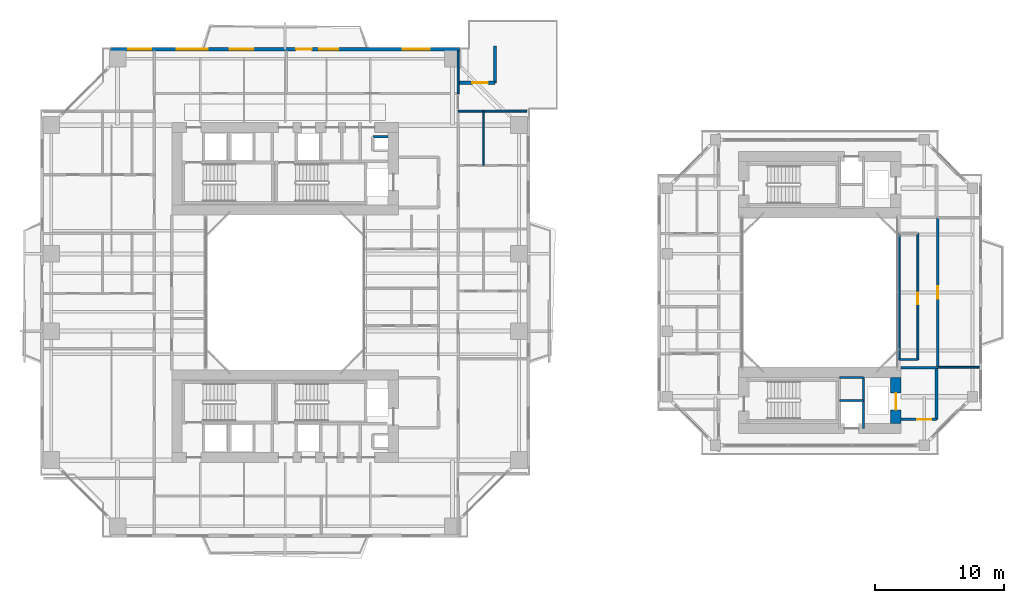
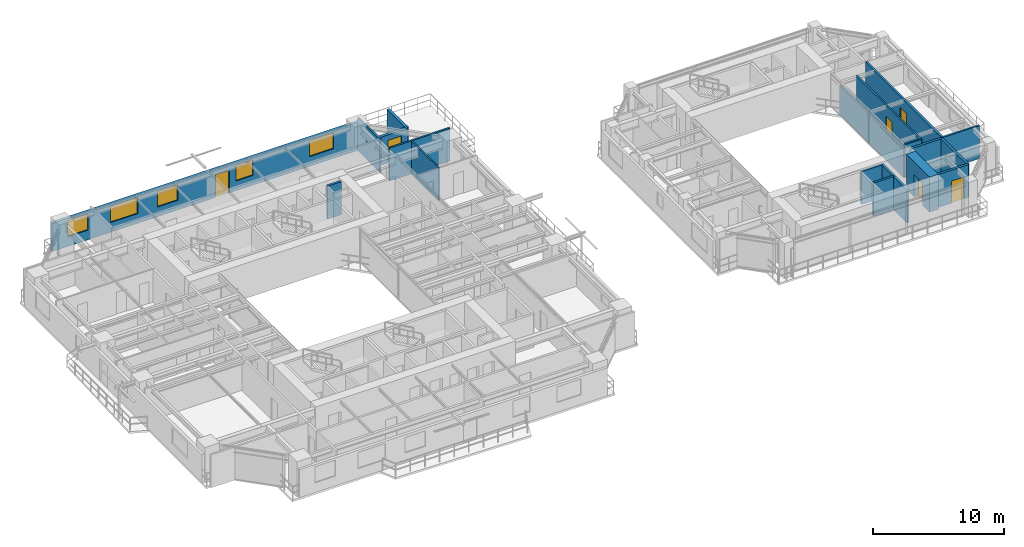
# One storey, part 17 of 23: 19 walls, 6 doors, 5 windows, 11 openings.
"""IFC4 building model written with IfcOpenShell, lengths in metres."""

from ifc_helpers import new_model, si_unit, direction, frame, frame_2d, origin, place, context, subcontext, project, spatial, rectangle, extrude, source, transform, mapped, material, layer, layer_set, type_object, element, fill, save


model = new_model("IFC4")

# Units and contexts
model_context = context("Model", 3, precision=1e-05, world=origin(), true_north=direction((0.0, 1.0)))
body_context = subcontext(model_context, "Body", "Model", "MODEL_VIEW")
ifc_project = project(units=[si_unit("LENGTHUNIT", "METRE"), si_unit("AREAUNIT", "SQUARE_METRE"), si_unit("VOLUMEUNIT", "CUBIC_METRE"), si_unit("PLANEANGLEUNIT", "RADIAN"), si_unit("MASSUNIT", "GRAM", prefix="KILO"), si_unit("THERMODYNAMICTEMPERATUREUNIT", "KELVIN"), si_unit("POWERUNIT", "WATT")], contexts=[model_context])

# Site, building, storey
site_placement = place(None, origin())
site = spatial("IfcSite", under=ifc_project, at=site_placement, CompositionType="ELEMENT")
building_placement = place(site_placement, origin())
building = spatial("IfcBuilding", under=site, at=building_placement, Name="Qiaomeng Ring Towers", CompositionType="ELEMENT")
storey_placement = place(building_placement, frame((0.0, 0.0, 82.75)))
storey = spatial("IfcBuildingStorey", under=building, at=storey_placement, Name="L23", CompositionType="ELEMENT", Elevation=82.75)

# Wall, openings, windows, door
ifc_material_1 = material(Name="Precast concrete C40", Category="concrete")
ifc_layer_1 = layer(ifc_material_1, 0.25, Name="Precast concrete C40")
ifc_layer_set_1 = layer_set([ifc_layer_1], Name="Precast concrete C40")
wall_type_1 = type_object("IfcWallType", Name="ARC-WL-EW1", PredefinedType="STANDARD", material=ifc_layer_set_1)
wall_1_placement = place(storey_placement, frame((5.449951171875, 41.875, 0.0), z_axis=(0.0, 0.0, 1.0), x_axis=(1.0, 0.0, 0.0)))
wall_1 = element("IfcWall", 1, at=wall_1_placement, inside=storey, type_object=wall_type_1, Name="L23 Tower 1 N Exterior Wall", PredefinedType="STANDARD", context=body_context, shape_type="SweptSolid", body=[
    extrude(rectangle(XDim=27.10009765625, YDim=0.25, at=frame_2d((13.550048828125, 0.0))), origin(), (0.0, 0.0, 1.0), 2.610107421875),
])
opening_1_placement = place(wall_1_placement, frame((14.39990234375, 0.0, 0.0)))
opening_1 = element("IfcOpeningElement", 2, at=opening_1_placement, cuts=wall_1, Name="Opening BD1", PredefinedType="OPENING", context=body_context, shape_type="SweptSolid", body=[
    extrude(rectangle(XDim=1.199951171875, YDim=2.10009765625, at=frame_2d((0.60009765625, 1.050048828125))), frame((0.0, 0.135009765625, 0.0), z_axis=(0.0, -1.0, 0.0), x_axis=(1.0, 0.0, 0.0)), (0.0, 0.0, 1.0), 0.27001953125),
])
opening_2_placement = place(wall_1_placement, frame((1.364990234375, 0.0, 0.89990234375)))
opening_2 = element("IfcOpeningElement", 3, at=opening_2_placement, cuts=wall_1, Name="Opening WN1", PredefinedType="OPENING", context=body_context, shape_type="SweptSolid", body=[
    extrude(rectangle(XDim=1.800048828125, YDim=1.5, at=frame_2d((0.89990234375, 0.75))), frame((0.0, 0.135009765625, 0.0), z_axis=(0.0, -1.0, 0.0), x_axis=(1.0, 0.0, 0.0)), (0.0, 0.0, 1.0), 0.27001953125),
])
opening_3_placement = place(wall_1_placement, frame((9.262939453125, 0.0, 0.89990234375)))
opening_3 = element("IfcOpeningElement", 4, at=opening_3_placement, cuts=wall_1, Name="Opening WN1", PredefinedType="OPENING", context=body_context, shape_type="SweptSolid", body=[
    extrude(rectangle(XDim=1.800048828125, YDim=1.449951171875, at=frame_2d((0.89990234375, 0.72509765625))), frame((0.0, 0.135009765625, 0.0), z_axis=(0.0, -1.0, 0.0), x_axis=(1.0, 0.0, 0.0)), (0.0, 0.0, 1.0), 0.27001953125),
])
opening_4_placement = place(wall_1_placement, frame((16.18798828125, 0.0, 0.89990234375)))
opening_4 = element("IfcOpeningElement", 5, at=opening_4_placement, cuts=wall_1, Name="Opening WN2", PredefinedType="OPENING", context=body_context, shape_type="SweptSolid", body=[
    extrude(rectangle(XDim=1.5, YDim=1.449951171875, at=frame_2d((0.75, 0.72509765625))), frame((0.0, 0.135009765625, 0.0), z_axis=(0.0, -1.0, 0.0), x_axis=(1.0, 0.0, 0.0)), (0.0, 0.0, 1.0), 0.27001953125),
])
opening_5_placement = place(wall_1_placement, frame((22.6630859375, 0.0, 0.89990234375)))
opening_5 = element("IfcOpeningElement", 6, at=opening_5_placement, cuts=wall_1, Name="Opening WN4", PredefinedType="OPENING", context=body_context, shape_type="SweptSolid", body=[
    extrude(rectangle(XDim=2.10009765625, YDim=1.47998046875, at=frame_2d((1.050048828125, 0.739990234375))), frame((0.0, 0.135009765625, 0.0), z_axis=(0.0, -1.0, 0.0), x_axis=(1.0, 0.0, 0.0)), (0.0, 0.0, 1.0), 0.27001953125),
])
opening_6_placement = place(wall_1_placement, frame((5.14892578125, 0.0, 0.89990234375)))
opening_6 = element("IfcOpeningElement", 7, at=opening_6_placement, cuts=wall_1, Name="Opening WN6", PredefinedType="OPENING", context=body_context, shape_type="SweptSolid", body=[
    extrude(rectangle(XDim=2.39990234375, YDim=1.5, at=frame_2d((1.199951171875, 0.75))), frame((0.0, 0.135009765625, 0.0), z_axis=(0.0, -1.0, 0.0), x_axis=(1.0, 0.0, 0.0)), (0.0, 0.0, 1.0), 0.27001953125),
])
ifc_material_2 = material(Name="Low-E dark-grey laminated double glazing", Category="glass")
window_type_1 = type_object("IfcWindowType", Name="ARC-WN-2", PartitioningType="DOUBLE_PANEL_VERTICAL", PredefinedType="WINDOW", material=ifc_material_2)
shared_shape_1 = source(origin(), body_context, "Body", "SweptSolid", [
    extrude(rectangle(XDim=1.5, YDim=1.449951171875, at=frame_2d((0.75, 0.72509765625))), frame((0.0, 0.030029296875, 0.0), z_axis=(0.0, -1.0, 0.0), x_axis=(1.0, 0.0, 0.0)), (0.0, 0.0, 1.0), 0.06005859375),
])
window_1_placement = place(opening_4_placement, origin())
window_1 = element("IfcWindow", 8, at=window_1_placement, inside=storey, type_object=window_type_1, Name="L23 Exterior Window WN2", OverallHeight=1.449951171875, OverallWidth=1.5, PartitioningType="DOUBLE_PANEL_VERTICAL", PredefinedType="WINDOW", context=body_context, shape_type="MappedRepresentation", body=[
    mapped(shared_shape_1, transform((0.0, 0.0, 0.0), x_axis=(1.0, 0.0, 0.0), y_axis=(0.0, 1.0, 0.0), z_axis=(0.0, 0.0, 1.0), scale=1.0)),
])
fill(opening_4, window_1)
window_type_2 = type_object("IfcWindowType", Name="ARC-WN-4", PartitioningType="TRIPLE_PANEL_VERTICAL", PredefinedType="WINDOW", material=ifc_material_2)
shared_shape_2 = source(origin(), body_context, "Body", "SweptSolid", [
    extrude(rectangle(XDim=2.10009765625, YDim=1.47998046875, at=frame_2d((1.050048828125, 0.739990234375))), frame((0.0, 0.030029296875, 0.0), z_axis=(0.0, -1.0, 0.0), x_axis=(1.0, 0.0, 0.0)), (0.0, 0.0, 1.0), 0.06005859375),
])
window_2_placement = place(opening_5_placement, origin())
window_2 = element("IfcWindow", 9, at=window_2_placement, inside=storey, type_object=window_type_2, Name="L23 Exterior Window WN4", OverallHeight=1.47998046875, OverallWidth=2.10009765625, PartitioningType="TRIPLE_PANEL_VERTICAL", PredefinedType="WINDOW", context=body_context, shape_type="MappedRepresentation", body=[
    mapped(shared_shape_2, transform((0.0, 0.0, 0.0), x_axis=(1.0, 0.0, 0.0), y_axis=(0.0, 1.0, 0.0), z_axis=(0.0, 0.0, 1.0), scale=1.0)),
])
fill(opening_5, window_2)
window_type_3 = type_object("IfcWindowType", Name="ARC-WN-1", PartitioningType="DOUBLE_PANEL_VERTICAL", PredefinedType="WINDOW", material=ifc_material_2)
shared_shape_3 = source(origin(), body_context, "Body", "SweptSolid", [
    extrude(rectangle(XDim=1.800048828125, YDim=1.449951171875, at=frame_2d((0.89990234375, 0.72509765625))), frame((0.0, 0.030029296875, 0.0), z_axis=(0.0, -1.0, 0.0), x_axis=(1.0, 0.0, 0.0)), (0.0, 0.0, 1.0), 0.06005859375),
])
window_3_placement = place(opening_3_placement, origin())
window_3 = element("IfcWindow", 10, at=window_3_placement, inside=storey, type_object=window_type_3, Name="L23 Exterior Window WN1", OverallHeight=1.449951171875, OverallWidth=1.800048828125, PartitioningType="DOUBLE_PANEL_VERTICAL", PredefinedType="WINDOW", context=body_context, shape_type="MappedRepresentation", body=[
    mapped(shared_shape_3, transform((0.0, 0.0, 0.0), x_axis=(1.0, 0.0, 0.0), y_axis=(0.0, 1.0, 0.0), z_axis=(0.0, 0.0, 1.0), scale=1.0)),
])
fill(opening_3, window_3)
door_type_1 = type_object("IfcDoorType", Name="ARC-DR-BD1", OperationType="NOTDEFINED", PredefinedType="DOOR", material=ifc_material_2)
shared_shape_4 = source(origin(), body_context, "Body", "SweptSolid", [
    extrude(rectangle(XDim=1.199951171875, YDim=2.10009765625, at=frame_2d((0.60009765625, 1.050048828125))), frame((0.0, 0.02490234375, 0.0), z_axis=(0.0, -1.0, 0.0), x_axis=(1.0, 0.0, 0.0)), (0.0, 0.0, 1.0), 0.050048828125),
])
door_1_placement = place(opening_1_placement, origin())
door_1 = element("IfcDoor", 11, at=door_1_placement, inside=storey, type_object=door_type_1, Name="L23 N Balcony Glazed Door", OperationType="SINGLE_SWING_LEFT", OverallHeight=2.10009765625, OverallWidth=1.199951171875, PredefinedType="DOOR", context=body_context, shape_type="MappedRepresentation", body=[
    mapped(shared_shape_4, transform((0.0, 0.0, 0.0), x_axis=(1.0, 0.0, 0.0), y_axis=(0.0, 1.0, 0.0), z_axis=(0.0, 0.0, 1.0), scale=1.0)),
])
fill(opening_1, door_1)
window_type_4 = type_object("IfcWindowType", Name="ARC-WN-6", PartitioningType="TRIPLE_PANEL_VERTICAL", PredefinedType="WINDOW", material=ifc_material_2)
shared_shape_5 = source(origin(), body_context, "Body", "SweptSolid", [
    extrude(rectangle(XDim=2.39990234375, YDim=1.5, at=frame_2d((1.199951171875, 0.75))), frame((0.0, 0.030029296875, 0.0), z_axis=(0.0, -1.0, 0.0), x_axis=(1.0, 0.0, 0.0)), (0.0, 0.0, 1.0), 0.06005859375),
])
window_4_placement = place(opening_6_placement, origin())
window_4 = element("IfcWindow", 12, at=window_4_placement, inside=storey, type_object=window_type_4, Name="L23 Exterior Window WN6", OverallHeight=1.5, OverallWidth=2.39990234375, PartitioningType="TRIPLE_PANEL_VERTICAL", PredefinedType="WINDOW", context=body_context, shape_type="MappedRepresentation", body=[
    mapped(shared_shape_5, transform((0.0, 0.0, 0.0), x_axis=(1.0, 0.0, 0.0), y_axis=(0.0, 1.0, 0.0), z_axis=(0.0, 0.0, 1.0), scale=1.0)),
])
fill(opening_6, window_4)
shared_shape_6 = source(origin(), body_context, "Body", "SweptSolid", [
    extrude(rectangle(XDim=1.800048828125, YDim=1.5, at=frame_2d((0.89990234375, 0.75))), frame((0.0, 0.030029296875, 0.0), z_axis=(0.0, -1.0, 0.0), x_axis=(1.0, 0.0, 0.0)), (0.0, 0.0, 1.0), 0.06005859375),
])
window_5_placement = place(opening_2_placement, origin())
window_5 = element("IfcWindow", 13, at=window_5_placement, inside=storey, type_object=window_type_3, Name="L23 Exterior Window WN6", OverallHeight=1.5, OverallWidth=1.800048828125, PartitioningType="TRIPLE_PANEL_VERTICAL", PredefinedType="WINDOW", context=body_context, shape_type="MappedRepresentation", body=[
    mapped(shared_shape_6, transform((0.0, 0.0, 0.0), x_axis=(1.0, 0.0, 0.0), y_axis=(0.0, 1.0, 0.0), z_axis=(0.0, 0.0, 1.0), scale=1.0)),
])
fill(opening_2, window_5)

# Wall, opening, door
wall_2_placement = place(storey_placement, frame((32.47509765625, 39.27490234375, 0.0), z_axis=(0.0, 0.0, 1.0), x_axis=(1.0, 0.0, 0.0)))
wall_2 = element("IfcWall", 14, at=wall_2_placement, inside=storey, type_object=wall_type_1, Name="L23 Spiral Terrace Wall NE", PredefinedType="STANDARD", context=body_context, shape_type="SweptSolid", body=[
    extrude(rectangle(XDim=2.7998046875, YDim=0.25, at=frame_2d((1.39990234375, 0.0))), origin(), (0.0, 0.0, 1.0), 2.610107421875),
])
opening_7_placement = place(wall_2_placement, frame((1.050048828125, 0.0, 0.0)))
opening_7 = element("IfcOpeningElement", 15, at=opening_7_placement, cuts=wall_2, Name="Opening BD1", PredefinedType="OPENING", context=body_context, shape_type="SweptSolid", body=[
    extrude(rectangle(XDim=1.199951171875, YDim=2.10009765625, at=frame_2d((0.60009765625, 1.050048828125))), frame((0.0, 0.135009765625, 0.0), z_axis=(0.0, -1.0, 0.0), x_axis=(1.0, 0.0, 0.0)), (0.0, 0.0, 1.0), 0.27001953125),
])
door_2_placement = place(opening_7_placement, frame((1.199951171875, 0.0, 0.0), z_axis=(0.0, 0.0, 1.0), x_axis=(-1.0, 0.0, 0.0)))
door_2 = element("IfcDoor", 16, at=door_2_placement, inside=storey, type_object=door_type_1, Name="L23 Spiral Sky Terrace Door NE", OperationType="SINGLE_SWING_LEFT", OverallHeight=2.10009765625, OverallWidth=1.199951171875, PredefinedType="DOOR", context=body_context, shape_type="MappedRepresentation", body=[
    mapped(shared_shape_4, transform((0.0, 0.0, 0.0), x_axis=(1.0, 0.0, 0.0), y_axis=(0.0, 1.0, 0.0), z_axis=(0.0, 0.0, 1.0), scale=1.0)),
])
fill(opening_7, door_2)

# Walls
wall_3_placement = place(storey_placement, frame((35.27490234375, 39.27490234375, 0.0), z_axis=(0.0, 0.0, 1.0), x_axis=(0.0, 1.0, 0.0)))
element("IfcWall", 17, at=wall_3_placement, inside=storey, type_object=wall_type_1, Name="L23 Spiral Terrace Return Wall NE", PredefinedType="STANDARD", context=body_context, shape_type="SweptSolid", body=[
    extrude(rectangle(XDim=2.875, YDim=0.25, at=frame_2d((1.4375, 0.0))), origin(), (0.0, 0.0, 1.0), 2.610107421875),
])
ifc_material_3 = material(Name="Autoclaved aerated concrete block", Category="concrete")
ifc_layer_2 = layer(ifc_material_3, 0.199951171875, Name="Autoclaved aerated concrete block")
ifc_layer_set_2 = layer_set([ifc_layer_2], Name="Autoclaved aerated concrete block")
wall_type_2 = type_object("IfcWallType", Name="ARC-WL-PW1", PredefinedType="PARTITIONING", material=ifc_layer_set_2)
wall_4_placement = place(storey_placement, frame((66.800048828125, 17.14990234375, 0.0), z_axis=(0.0, 0.0, 1.0), x_axis=(1.0, 0.0, 0.0)))
element("IfcWall", 18, at=wall_4_placement, inside=storey, type_object=wall_type_2, Name="L23 Interior Wall PW1", PredefinedType="PARTITIONING", context=body_context, shape_type="SweptSolid", body=[
    extrude(rectangle(XDim=2.75, YDim=0.199951171875, at=frame_2d((1.375, 0.0))), origin(), (0.0, 0.0, 1.0), 3.070068359375),
])
wall_5_placement = place(storey_placement, frame((69.550048828125, 13.14990234375, 0.0), z_axis=(0.0, 0.0, 1.0), x_axis=(0.0, 1.0, 0.0)))
element("IfcWall", 19, at=wall_5_placement, inside=storey, type_object=wall_type_2, Name="L23 Interior Wall PW1", PredefinedType="PARTITIONING", context=body_context, shape_type="SweptSolid", body=[
    extrude(rectangle(XDim=4.0, YDim=0.199951171875, at=frame_2d((2.0, 0.0))), origin(), (0.0, 0.0, 1.0), 3.070068359375),
])

# Wall, opening, door
wall_6_placement = place(storey_placement, frame((66.800048828125, 13.14990234375, 0.0), z_axis=(0.0, 0.0, 1.0), x_axis=(1.0, 0.0, 0.0)))
wall_6 = element("IfcWall", 20, at=wall_6_placement, inside=storey, type_object=wall_type_2, Name="L23 Interior Wall PW1", PredefinedType="PARTITIONING", context=body_context, shape_type="SweptSolid", body=[
    extrude(rectangle(XDim=2.75, YDim=0.199951171875, at=frame_2d((1.375, 0.0))), origin(), (0.0, 0.0, 1.0), 3.070068359375),
])
opening_8_placement = place(wall_6_placement, frame((1.25, 0.0, 0.0)))
opening_8 = element("IfcOpeningElement", 21, at=opening_8_placement, cuts=wall_6, Name="Opening FD3", PredefinedType="OPENING", context=body_context, shape_type="SweptSolid", body=[
    extrude(rectangle(XDim=1.10009765625, YDim=2.050048828125, at=frame_2d((0.550048828125, 1.02490234375))), frame((0.0, 0.10986328125, 0.0), z_axis=(0.0, -1.0, 0.0), x_axis=(1.0, 0.0, 0.0)), (0.0, 0.0, 1.0), 0.219970703125),
])
ifc_material_4 = material(Name="Galvanised steel", Category="steel")
door_type_2 = type_object("IfcDoorType", Name="ARC-DR-FD3", OperationType="NOTDEFINED", PredefinedType="DOOR", material=ifc_material_4)
shared_shape_7 = source(origin(), body_context, "Body", "SweptSolid", [
    extrude(rectangle(XDim=1.10009765625, YDim=2.050048828125, at=frame_2d((0.550048828125, 1.02490234375))), frame((0.0, 0.02490234375, 0.0), z_axis=(0.0, -1.0, 0.0), x_axis=(1.0, 0.0, 0.0)), (0.0, 0.0, 1.0), 0.050048828125),
])
door_3_placement = place(opening_8_placement, origin())
door_3 = element("IfcDoor", 22, at=door_3_placement, inside=storey, type_object=door_type_2, Name="L23 Door FD3", OperationType="SINGLE_SWING_LEFT", OverallHeight=2.050048828125, OverallWidth=1.10009765625, PredefinedType="DOOR", context=body_context, shape_type="MappedRepresentation", body=[
    mapped(shared_shape_7, transform((0.0, 0.0, 0.0), x_axis=(1.0, 0.0, 0.0), y_axis=(0.0, 1.0, 0.0), z_axis=(0.0, 0.0, 1.0), scale=1.0)),
])
fill(opening_8, door_3)

ifc_layer_3 = layer(ifc_material_3, 0.179931640625, Name="Autoclaved aerated concrete block")
ifc_layer_set_3 = layer_set([ifc_layer_3], Name="Autoclaved aerated concrete block")
wall_type_3 = type_object("IfcWallType", Name="ARC-WL-PW2", PredefinedType="PARTITIONING", material=ifc_layer_set_3)
wall_7_placement = place(storey_placement, frame((69.64990234375, 17.199951171875, 0.0), z_axis=(0.0, 0.0, 1.0), x_axis=(0.0, 1.0, 0.0)))
wall_7 = element("IfcWall", 23, at=wall_7_placement, inside=storey, type_object=wall_type_3, Name="L23 Interior Wall PW2", PredefinedType="PARTITIONING", context=body_context, shape_type="SweptSolid", body=[
    extrude(rectangle(XDim=11.60009765625, YDim=0.179931640625, at=frame_2d((5.800048828125, 0.0))), origin(), (0.0, 0.0, 1.0), 3.070068359375),
])
opening_9_placement = place(wall_7_placement, frame((5.300048828125, 0.0, 0.0)))
opening_9 = element("IfcOpeningElement", 24, at=opening_9_placement, cuts=wall_7, Name="Opening FD4", PredefinedType="OPENING", context=body_context, shape_type="SweptSolid", body=[
    extrude(rectangle(XDim=1.0, YDim=2.050048828125, at=frame_2d((0.5, 1.02490234375))), frame((0.0, 0.099853515625, 0.0), z_axis=(0.0, -1.0, 0.0), x_axis=(1.0, 0.0, 0.0)), (0.0, 0.0, 1.0), 0.199951171875),
])
ifc_material_5 = material(Name="Engineered fire-rated oak timber", Category="wood")
door_type_3 = type_object("IfcDoorType", Name="ARC-DR-FD4", OperationType="NOTDEFINED", PredefinedType="DOOR", material=ifc_material_5)
shared_shape_8 = source(origin(), body_context, "Body", "SweptSolid", [
    extrude(rectangle(XDim=1.0, YDim=2.050048828125, at=frame_2d((0.5, 1.02490234375))), frame((0.0, 0.02490234375, 0.0), z_axis=(0.0, -1.0, 0.0), x_axis=(1.0, 0.0, 0.0)), (0.0, 0.0, 1.0), 0.050048828125),
])
door_4_placement = place(opening_9_placement, origin())
door_4 = element("IfcDoor", 25, at=door_4_placement, inside=storey, type_object=door_type_3, Name="L23 Door FD4", OperationType="SINGLE_SWING_LEFT", OverallHeight=2.050048828125, OverallWidth=1.0, PredefinedType="DOOR", context=body_context, shape_type="MappedRepresentation", body=[
    mapped(shared_shape_8, transform((0.0, 0.0, 0.0), x_axis=(1.0, 0.0, 0.0), y_axis=(0.0, 1.0, 0.0), z_axis=(0.0, 0.0, 1.0), scale=1.0)),
])
fill(opening_9, door_4)

# Walls
ifc_material_6 = material(Name="Gypsum fireboard steel-stud partition", Category="steel")
ifc_layer_4 = layer(ifc_material_6, 0.14990234375, Name="Gypsum fireboard steel-stud partition")
ifc_layer_set_4 = layer_set([ifc_layer_4], Name="Gypsum fireboard steel-stud partition")
wall_type_4 = type_object("IfcWallType", Name="ARC-WL-PW3", PredefinedType="PARTITIONING", material=ifc_layer_set_4)
wall_8_placement = place(storey_placement, frame((32.419921875, 38.43994140625, 0.0), z_axis=(0.0, 0.0, 1.0), x_axis=(0.0, 1.0, 0.0)))
element("IfcWall", 26, at=wall_8_placement, inside=storey, type_object=wall_type_4, Name="L23 Interior Wall PW3", PredefinedType="PARTITIONING", context=body_context, shape_type="SweptSolid", body=[
    extrude(rectangle(XDim=3.31005859375, YDim=0.14990234375, at=frame_2d((1.655029296875, 0.0))), origin(), (0.0, 0.0, 1.0), 3.070068359375),
])
wall_9_placement = place(storey_placement, frame((32.419921875, 37.080078125, 0.0), z_axis=(0.0, 0.0, 1.0), x_axis=(1.0, 0.0, 0.0)))
element("IfcWall", 27, at=wall_9_placement, inside=storey, type_object=wall_type_4, Name="L23 Interior Wall PW3", PredefinedType="PARTITIONING", context=body_context, shape_type="SweptSolid", body=[
    extrude(rectangle(XDim=5.330078125, YDim=0.14990234375, at=frame_2d((2.6650390625, 0.0))), origin(), (0.0, 0.0, 1.0), 3.070068359375),
])
wall_10_placement = place(storey_placement, frame((69.64990234375, 17.199951171875, 0.0), z_axis=(0.0, 0.0, 1.0), x_axis=(1.0, 0.0, 0.0)))
element("IfcWall", 28, at=wall_10_placement, inside=storey, type_object=wall_type_4, Name="L23 Interior Wall PW3", PredefinedType="PARTITIONING", context=body_context, shape_type="SweptSolid", body=[
    extrude(rectangle(XDim=3.2001953125, YDim=0.14990234375, at=frame_2d((1.60009765625, 0.0))), origin(), (0.0, 0.0, 1.0), 3.070068359375),
])

# Wall, opening, door
wall_11_placement = place(storey_placement, frame((68.10009765625, 17.800048828125, 0.0), z_axis=(0.0, 0.0, 1.0), x_axis=(0.0, 1.0, 0.0)))
wall_11 = element("IfcWall", 29, at=wall_11_placement, inside=storey, type_object=wall_type_4, Name="L23 Interior Wall PW3", PredefinedType="PARTITIONING", context=body_context, shape_type="SweptSolid", body=[
    extrude(rectangle(XDim=9.800048828125, YDim=0.14990234375, at=frame_2d((4.89990234375, 0.0))), origin(), (0.0, 0.0, 1.0), 3.070068359375),
])
opening_10_placement = place(wall_11_placement, frame((4.300048828125, 0.0, 0.0)))
opening_10 = element("IfcOpeningElement", 30, at=opening_10_placement, cuts=wall_11, Name="Opening ID1", PredefinedType="OPENING", context=body_context, shape_type="SweptSolid", body=[
    extrude(rectangle(XDim=0.89990234375, YDim=2.050048828125, at=frame_2d((0.449951171875, 1.02490234375))), frame((0.0, 0.0849609375, 0.0), z_axis=(0.0, -1.0, 0.0), x_axis=(1.0, 0.0, 0.0)), (0.0, 0.0, 1.0), 0.169921875),
])
ifc_material_7 = material(Name="Engineered oak timber", Category="wood")
door_type_4 = type_object("IfcDoorType", Name="ARC-DR-ID1", OperationType="NOTDEFINED", PredefinedType="DOOR", material=ifc_material_7)
shared_shape_9 = source(origin(), body_context, "Body", "SweptSolid", [
    extrude(rectangle(XDim=0.89990234375, YDim=2.050048828125, at=frame_2d((0.449951171875, 1.02490234375))), frame((0.0, 0.02490234375, 0.0), z_axis=(0.0, -1.0, 0.0), x_axis=(1.0, 0.0, 0.0)), (0.0, 0.0, 1.0), 0.050048828125),
])
door_5_placement = place(opening_10_placement, origin())
door_5 = element("IfcDoor", 31, at=door_5_placement, inside=storey, type_object=door_type_4, Name="L23 Door ID1", OperationType="SINGLE_SWING_RIGHT", OverallHeight=2.050048828125, OverallWidth=0.89990234375, PredefinedType="DOOR", context=body_context, shape_type="MappedRepresentation", body=[
    mapped(shared_shape_9, transform((0.0, 0.0, 0.0), x_axis=(1.0, 0.0, 0.0), y_axis=(0.0, 1.0, 0.0), z_axis=(0.0, 0.0, 1.0), scale=1.0)),
])
fill(opening_10, door_5)

# Walls
wall_12_placement = place(storey_placement, frame((66.64990234375, 17.800048828125, 0.0), z_axis=(0.0, 0.0, 1.0), x_axis=(1.0, 0.0, 0.0)))
element("IfcWall", 32, at=wall_12_placement, inside=storey, type_object=wall_type_4, Name="L23 Interior Wall PW3", PredefinedType="PARTITIONING", context=body_context, shape_type="SweptSolid", body=[
    extrude(rectangle(XDim=1.4501953125, YDim=0.14990234375, at=frame_2d((0.72509765625, 0.0))), origin(), (0.0, 0.0, 1.0), 3.070068359375),
])
wall_13_placement = place(storey_placement, frame((66.64990234375, 17.800048828125, 0.0), z_axis=(0.0, 0.0, 1.0), x_axis=(0.0, 1.0, 0.0)))
element("IfcWall", 33, at=wall_13_placement, inside=storey, type_object=wall_type_4, Name="L23 Interior Wall PW3", PredefinedType="PARTITIONING", context=body_context, shape_type="SweptSolid", body=[
    extrude(rectangle(XDim=9.800048828125, YDim=0.14990234375, at=frame_2d((4.89990234375, 0.0))), origin(), (0.0, 0.0, 1.0), 2.6650390625),
])
ifc_material_8 = material(Name="Moisture-resistant gypsum steel-stud partition", Category="steel")
ifc_layer_5 = layer(ifc_material_8, 0.1201171875, Name="Moisture-resistant gypsum steel-stud partition")
ifc_layer_set_5 = layer_set([ifc_layer_5], Name="Moisture-resistant gypsum steel-stud partition")
wall_type_5 = type_object("IfcWallType", Name="ARC-WL-PW4", PredefinedType="PLUMBINGWALL", material=ifc_layer_set_5)
wall_14_placement = place(storey_placement, frame((34.389892578125, 32.8701171875, 0.0), z_axis=(0.0, 0.0, 1.0), x_axis=(0.0, 1.0, 0.0)))
element("IfcWall", 34, at=wall_14_placement, inside=storey, type_object=wall_type_5, Name="L23 Interior Wall PW4", PredefinedType="PLUMBINGWALL", context=body_context, shape_type="SweptSolid", body=[
    extrude(rectangle(XDim=4.2099609375, YDim=0.1201171875, at=frame_2d((2.10498046875, 0.0))), origin(), (0.0, 0.0, 1.0), 3.070068359375),
])
ifc_material_9 = material(Name="Concrete C40", Category="concrete")
ifc_layer_6 = layer(ifc_material_9, 0.199951171875, Name="Concrete C40")
ifc_layer_set_6 = layer_set([ifc_layer_6], Name="Concrete C40")
wall_type_6 = type_object("IfcWallType", Name="STR-WL-STSHAFT", PredefinedType="SHEAR", material=ifc_layer_set_6)
wall_15_placement = place(storey_placement, frame((25.800048828125, 35.080078125, 0.0), z_axis=(0.0, 0.0, 1.0), x_axis=(1.0, 0.0, 0.0)))
element("IfcWall", 35, at=wall_15_placement, inside=storey, type_object=wall_type_6, Name="L23 Riser RSR1 North Shaft Wall N", PredefinedType="SHEAR", context=body_context, shape_type="SweptSolid", body=[
    extrude(rectangle(XDim=1.199951171875, YDim=0.179931640625, at=frame_2d((0.60009765625, 0.0))), origin(), (0.0, 0.0, 1.0), 3.070068359375),
])
wall_16_placement = place(storey_placement, frame((63.8798828125, 12.449951171875, 0.0), z_axis=(0.0, 0.0, 1.0), x_axis=(0.0, 1.0, 0.0)))
element("IfcWall", 36, at=wall_16_placement, inside=storey, type_object=wall_type_6, Name="L23 Companion Lift Shaft East Wall S", PredefinedType="SHEAR", context=body_context, shape_type="SweptSolid", body=[
    extrude(rectangle(XDim=3.949951171875, YDim=0.179931640625, at=frame_2d((1.97509765625, 0.0))), origin(), (0.0, 0.0, 1.0), 3.070068359375),
])
for number, where, z_axis, x_axis, name in (
    (37, (62.02001953125, 14.6201171875, 0.0), (0.0, 0.0, 1.0), (1.0, 0.0, 0.0), "L23 Companion Lift Shaft Divider Wall S"),
    (38, (62.02001953125, 16.39990234375, 0.0), (0.0, 0.0, 1.0), (1.0, 0.0, 0.0), "L23 Companion Riser Shaft Back Wall S"),
):
    element("IfcWall", number, at=place(storey_placement, frame(where, z_axis=z_axis, x_axis=x_axis)), inside=storey, type_object=wall_type_6, Name=name, PredefinedType="SHEAR", context=body_context, shape_type="SweptSolid", body=[
        extrude(rectangle(XDim=1.85986328125, YDim=0.179931640625, at=frame_2d((0.929931640625, 0.0))), origin(), (0.0, 0.0, 1.0), 3.070068359375),
    ])

# Wall, opening, door
ifc_material_10 = material(Name="Concrete C60", Category="concrete")
ifc_layer_7 = layer(ifc_material_10, 0.800048828125, Name="Concrete C60")
ifc_layer_set_7 = layer_set([ifc_layer_7], Name="Concrete C60")
wall_type_7 = type_object("IfcWallType", Name="STR-WL-SW1", PredefinedType="SHEAR", material=ifc_layer_set_7)
wall_17_placement = place(storey_placement, frame((66.39990234375, 12.85009765625, 0.0), z_axis=(0.0, 0.0, 1.0), x_axis=(0.0, 1.0, 0.0)))
wall_17 = element("IfcWall", 39, at=wall_17_placement, inside=storey, type_object=wall_type_7, Name="L23 T2SC east core shear wall", PredefinedType="SHEAR", context=body_context, shape_type="SweptSolid", body=[
    extrude(rectangle(XDim=3.5498046875, YDim=0.800048828125, at=frame_2d((1.77490234375, 0.0))), origin(), (0.0, 0.0, 1.0), 3.25),
])
opening_11_placement = place(wall_17_placement, frame((1.050048828125, 0.0, 0.0)))
opening_11 = element("IfcOpeningElement", 40, at=opening_11_placement, cuts=wall_17, Name="Opening LD2", PredefinedType="OPENING", context=body_context, shape_type="SweptSolid", body=[
    extrude(rectangle(XDim=1.300048828125, YDim=2.050048828125, at=frame_2d((0.64990234375, 1.02490234375))), frame((0.0, 0.409912109375, 0.0), z_axis=(0.0, -1.0, 0.0), x_axis=(1.0, 0.0, 0.0)), (0.0, 0.0, 1.0), 0.820068359375),
])
ifc_material_11 = material(Name="Stainless steel 316", Category="steel")
door_type_5 = type_object("IfcDoorType", Name="ARC-DR-LD2", OperationType="NOTDEFINED", PredefinedType="DOOR", material=ifc_material_11)
shared_shape_10 = source(origin(), body_context, "Body", "SweptSolid", [
    extrude(rectangle(XDim=1.300048828125, YDim=2.050048828125, at=frame_2d((0.64990234375, 1.02490234375))), frame((0.0, 0.02490234375, 0.0), z_axis=(0.0, -1.0, 0.0), x_axis=(1.0, 0.0, 0.0)), (0.0, 0.0, 1.0), 0.050048828125),
])
door_6_placement = place(opening_11_placement, origin())
door_6 = element("IfcDoor", 41, at=door_6_placement, inside=storey, type_object=door_type_5, Name="L23 Firefighting Lift FL4 Landing Door", OperationType="SLIDING_TO_RIGHT", OverallHeight=2.050048828125, OverallWidth=1.300048828125, PredefinedType="DOOR", context=body_context, shape_type="MappedRepresentation", body=[
    mapped(shared_shape_10, transform((0.0, 0.0, 0.0), x_axis=(1.0, 0.0, 0.0), y_axis=(0.0, 1.0, 0.0), z_axis=(0.0, 0.0, 1.0), scale=1.0)),
])
fill(opening_11, door_6)

save(model, "model.ifc")
